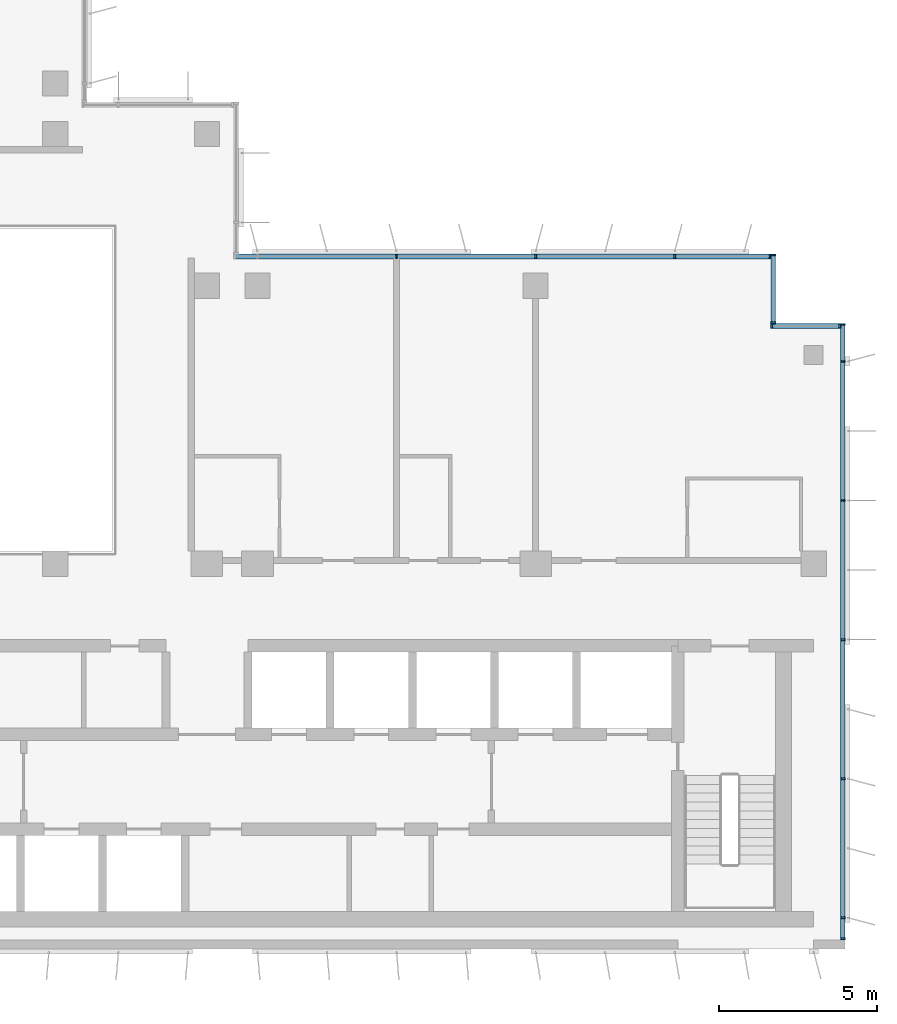
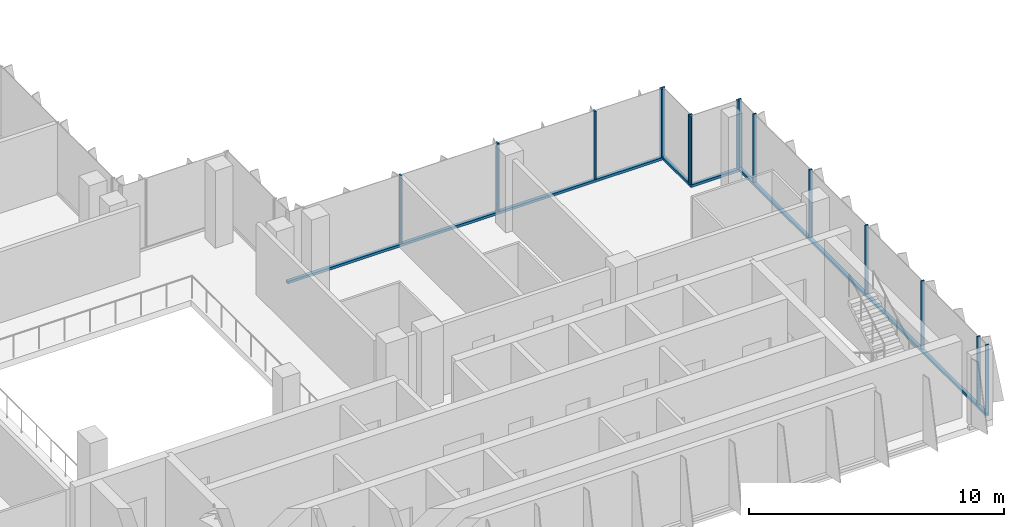
# One storey, part 3 of 15: 19 members, 4 elements without a shape of their own.
"""IFC4 building model written with IfcOpenShell, lengths in metres."""

from ifc_helpers import new_model, si_unit, direction, frame, origin, origin_2d, place, context, subcontext, project, spatial, rectangle, extrude, source, transform, mapped, material, material_profile, profile_set, type_object, element, aggregate, save


model = new_model("IFC4")

# Units and contexts
model_context = context("Model", 3, precision=1e-05, world=origin(), true_north=direction((0.0, 1.0)))
body_context = subcontext(model_context, "Body", "Model", "MODEL_VIEW")
ifc_project = project(units=[si_unit("LENGTHUNIT", "METRE"), si_unit("AREAUNIT", "SQUARE_METRE"), si_unit("VOLUMEUNIT", "CUBIC_METRE"), si_unit("PLANEANGLEUNIT", "RADIAN"), si_unit("MASSUNIT", "GRAM", prefix="KILO")], contexts=[model_context])

# Site, building, storey
site_placement = place(None, origin())
site = spatial("IfcSite", under=ifc_project, at=site_placement, CompositionType="ELEMENT")
building_placement = place(site_placement, origin())
building = spatial("IfcBuilding", under=site, at=building_placement, Name="Kemantara Hotel Tower", CompositionType="ELEMENT")
storey_placement = place(building_placement, frame((0.0, 0.0, 237.60009765625)))
storey = spatial("IfcBuildingStorey", under=building, at=storey_placement, Name="L59", CompositionType="ELEMENT", Elevation=237.60009765625)

# Curtain wall, member
ifc_material_1 = material(Name="Low-E tinted double insulated glass 36 mm", Category="glass")
curtain_wall_type = type_object("IfcCurtainWallType", Name="TOWER CURTAIN WALL, FRONT FACES", PredefinedType="USERDEFINED", material=ifc_material_1)
curtain_wall_1_placement = place(storey_placement, origin())
curtain_wall_1 = element("IfcCurtainWall", 1, at=curtain_wall_1_placement, inside=storey, type_object=curtain_wall_type, Name="CW4 L59 T4-R09-1", ObjectType="TOWER CURTAIN WALL, FRONT FACES", PredefinedType="USERDEFINED")
ifc_material_2 = material(Name="Aluminium 6063-T6 bronze anodised", Category="aluminium")
ifc_material_profile_1 = material_profile(ifc_material_2, rectangle(XDim=0.14990234375, YDim=0.1201171875, at=origin_2d()), Name="TOWER CURTAIN WALL, FRONT FACES TRANSOM")
ifc_profile_set_1 = profile_set([ifc_material_profile_1], Name="Aluminium 6063-T6 bronze anodised")
member_type_1 = type_object("IfcMemberType", Name="TOWER CURTAIN WALL, FRONT FACES TRANSOM", PredefinedType="USERDEFINED", material=ifc_profile_set_1)
member_1_placement = place(storey_placement, frame((45.925048828125, 0.300048828125, 0.059814453125), z_axis=(0.0, 1.0, 0.0), x_axis=(-1.0, 0.0, 0.0)))
member_1 = element("IfcMember", 2, at=member_1_placement, type_object=member_type_1, Name="CW4 sill transom T4-R09-1", ObjectType="TRANSOM", PredefinedType="USERDEFINED", context=body_context, shape_type="SweptSolid", body=[
    extrude(rectangle(XDim=0.14990234375, YDim=0.1201171875, at=origin_2d()), origin(), (0.0, 0.0, 1.0), 19.5),
])

curtain_wall_2_placement = place(storey_placement, origin())
curtain_wall_2 = element("IfcCurtainWall", 3, at=curtain_wall_2_placement, inside=storey, type_object=curtain_wall_type, Name="CW4 L59 T4-R12-1", ObjectType="TOWER CURTAIN WALL, FRONT FACES", PredefinedType="USERDEFINED")
member_2_placement = place(storey_placement, frame((43.64990234375, 21.925048828125, 0.059814453125), z_axis=(-1.0, 0.0, 0.0), x_axis=(0.0, -1.0, 0.0)))
member_2 = element("IfcMember", 4, at=member_2_placement, type_object=member_type_1, Name="CW4 sill transom T4-R12-1", ObjectType="TRANSOM", PredefinedType="USERDEFINED", context=body_context, shape_type="SweptSolid", body=[
    extrude(rectangle(XDim=0.14990234375, YDim=0.1201171875, at=origin_2d()), origin(), (0.0, 0.0, 1.0), 17.0),
])

curtain_wall_3_placement = place(storey_placement, origin())
curtain_wall_3 = element("IfcCurtainWall", 5, at=curtain_wall_3_placement, inside=storey, type_object=curtain_wall_type, Name="CW4 L59 T4-R10-1", ObjectType="TOWER CURTAIN WALL, FRONT FACES", PredefinedType="USERDEFINED")
member_3_placement = place(storey_placement, frame((45.85009765625, 19.72509765625, 0.059814453125), z_axis=(-1.0, 0.0, 0.0), x_axis=(0.0, -1.0, 0.0)))
member_3 = element("IfcMember", 6, at=member_3_placement, type_object=member_type_1, Name="CW4 sill transom T4-R10-1", ObjectType="TRANSOM", PredefinedType="USERDEFINED", context=body_context, shape_type="SweptSolid", body=[
    extrude(rectangle(XDim=0.14990234375, YDim=0.1201171875, at=origin_2d()), origin(), (0.0, 0.0, 1.0), 2.2001953125),
])

curtain_wall_4_placement = place(storey_placement, origin())
curtain_wall_4 = element("IfcCurtainWall", 7, at=curtain_wall_4_placement, inside=storey, type_object=curtain_wall_type, Name="CW4 L59 T4-R11-1", ObjectType="TOWER CURTAIN WALL, FRONT FACES", PredefinedType="USERDEFINED")
member_4_placement = place(storey_placement, frame((43.72509765625, 19.800048828125, 0.059814453125), z_axis=(0.0, 1.0, 0.0), x_axis=(-1.0, 0.0, 0.0)))
member_4 = element("IfcMember", 8, at=member_4_placement, type_object=member_type_1, Name="CW4 sill transom T4-R11-1", ObjectType="TRANSOM", PredefinedType="USERDEFINED", context=body_context, shape_type="SweptSolid", body=[
    extrude(rectangle(XDim=0.14990234375, YDim=0.1201171875, at=origin_2d()), origin(), (0.0, 0.0, 1.0), 2.199951171875),
])

# Member
ifc_material_profile_2 = material_profile(ifc_material_2, rectangle(XDim=0.14990234375, YDim=0.06005859375, at=origin_2d()), Name="TOWER CURTAIN WALL, FRONT FACES MULLION")
ifc_profile_set_2 = profile_set([ifc_material_profile_2], Name="Aluminium 6063-T6 bronze anodised")
member_type_2 = type_object("IfcMemberType", Name="TOWER CURTAIN WALL, FRONT FACES MULLION", PredefinedType="MULLION", material=ifc_profile_set_2)
shared_shape = source(origin(), body_context, "Body", "SweptSolid", [
    extrude(rectangle(XDim=0.14990234375, YDim=0.06005859375, at=origin_2d()), origin(), (0.0, 0.0, 1.0), 3.280029296875),
])
member_5_placement = place(storey_placement, frame((45.925048828125, 0.330078125, 0.119873046875), z_axis=(0.0, 0.0, 1.0), x_axis=(-1.0, 0.0, 0.0)))
member_5 = element("IfcMember", 9, at=member_5_placement, type_object=member_type_2, Name="CW4 mullion T4-R09-1.1", PredefinedType="MULLION", context=body_context, shape_type="MappedRepresentation", body=[
    mapped(shared_shape, transform((0.0, 0.0, 0.0))),
])

member_6_placement = place(storey_placement, frame((45.925048828125, 1.0, 0.119873046875), z_axis=(0.0, 0.0, 1.0), x_axis=(-1.0, 0.0, 0.0)))
member_6 = element("IfcMember", 10, at=member_6_placement, type_object=member_type_2, Name="CW4 mullion T4-R09-1.2", PredefinedType="MULLION", context=body_context, shape_type="MappedRepresentation", body=[
    mapped(shared_shape, transform((0.0, 0.0, 0.0))),
])

member_7_placement = place(storey_placement, frame((45.925048828125, 5.39990234375, 0.119873046875), z_axis=(0.0, 0.0, 1.0), x_axis=(-1.0, 0.0, 0.0)))
member_7 = element("IfcMember", 11, at=member_7_placement, type_object=member_type_2, Name="CW4 mullion T4-R09-1.3", PredefinedType="MULLION", context=body_context, shape_type="MappedRepresentation", body=[
    mapped(shared_shape, transform((0.0, 0.0, 0.0))),
])

member_8_placement = place(storey_placement, frame((45.925048828125, 9.800048828125, 0.119873046875), z_axis=(0.0, 0.0, 1.0), x_axis=(-1.0, 0.0, 0.0)))
member_8 = element("IfcMember", 12, at=member_8_placement, type_object=member_type_2, Name="CW4 mullion T4-R09-1.4", PredefinedType="MULLION", context=body_context, shape_type="MappedRepresentation", body=[
    mapped(shared_shape, transform((0.0, 0.0, 0.0))),
])

member_9_placement = place(storey_placement, frame((45.925048828125, 14.199951171875, 0.119873046875), z_axis=(0.0, 0.0, 1.0), x_axis=(-1.0, 0.0, 0.0)))
member_9 = element("IfcMember", 13, at=member_9_placement, type_object=member_type_2, Name="CW4 mullion T4-R09-1.5", PredefinedType="MULLION", context=body_context, shape_type="MappedRepresentation", body=[
    mapped(shared_shape, transform((0.0, 0.0, 0.0))),
])

member_10_placement = place(storey_placement, frame((45.925048828125, 18.60009765625, 0.119873046875), z_axis=(0.0, 0.0, 1.0), x_axis=(-1.0, 0.0, 0.0)))
member_10 = element("IfcMember", 14, at=member_10_placement, type_object=member_type_2, Name="CW4 mullion T4-R09-1.6", PredefinedType="MULLION", context=body_context, shape_type="MappedRepresentation", body=[
    mapped(shared_shape, transform((0.0, 0.0, 0.0))),
])

member_11_placement = place(storey_placement, frame((45.925048828125, 19.77001953125, 0.119873046875), z_axis=(0.0, 0.0, 1.0), x_axis=(-1.0, 0.0, 0.0)))
member_11 = element("IfcMember", 15, at=member_11_placement, type_object=member_type_2, Name="CW4 mullion T4-R09-1.7", PredefinedType="MULLION", context=body_context, shape_type="MappedRepresentation", body=[
    mapped(shared_shape, transform((0.0, 0.0, 0.0))),
])

aggregate(curtain_wall_1, [member_1, member_5, member_6, member_7, member_8, member_9, member_10, member_11])

member_12_placement = place(storey_placement, frame((43.6201171875, 21.925048828125, 0.119873046875), z_axis=(0.0, 0.0, 1.0), x_axis=(0.0, -1.0, 0.0)))
member_12 = element("IfcMember", 16, at=member_12_placement, type_object=member_type_2, Name="CW4 mullion T4-R12-1.1", PredefinedType="MULLION", context=body_context, shape_type="MappedRepresentation", body=[
    mapped(shared_shape, transform((0.0, 0.0, 0.0))),
])

member_13_placement = place(storey_placement, frame((40.60009765625, 21.925048828125, 0.119873046875), z_axis=(0.0, 0.0, 1.0), x_axis=(0.0, -1.0, 0.0)))
member_13 = element("IfcMember", 17, at=member_13_placement, type_object=member_type_2, Name="CW4 mullion T4-R12-1.2", PredefinedType="MULLION", context=body_context, shape_type="MappedRepresentation", body=[
    mapped(shared_shape, transform((0.0, 0.0, 0.0))),
])

member_14_placement = place(storey_placement, frame((36.199951171875, 21.925048828125, 0.119873046875), z_axis=(0.0, 0.0, 1.0), x_axis=(0.0, -1.0, 0.0)))
member_14 = element("IfcMember", 18, at=member_14_placement, type_object=member_type_2, Name="CW4 mullion T4-R12-1.3", PredefinedType="MULLION", context=body_context, shape_type="MappedRepresentation", body=[
    mapped(shared_shape, transform((0.0, 0.0, 0.0))),
])

member_15_placement = place(storey_placement, frame((31.800048828125, 21.925048828125, 0.119873046875), z_axis=(0.0, 0.0, 1.0), x_axis=(0.0, -1.0, 0.0)))
member_15 = element("IfcMember", 19, at=member_15_placement, type_object=member_type_2, Name="CW4 mullion T4-R12-1.4", PredefinedType="MULLION", context=body_context, shape_type="MappedRepresentation", body=[
    mapped(shared_shape, transform((0.0, 0.0, 0.0))),
])

aggregate(curtain_wall_2, [member_2, member_12, member_13, member_14, member_15])

member_16_placement = place(storey_placement, frame((45.820068359375, 19.72509765625, 0.119873046875), z_axis=(0.0, 0.0, 1.0), x_axis=(0.0, -1.0, 0.0)))
member_16 = element("IfcMember", 20, at=member_16_placement, type_object=member_type_2, Name="CW4 mullion T4-R10-1.1", PredefinedType="MULLION", context=body_context, shape_type="MappedRepresentation", body=[
    mapped(shared_shape, transform((0.0, 0.0, 0.0))),
])

member_17_placement = place(storey_placement, frame((43.679931640625, 19.72509765625, 0.119873046875), z_axis=(0.0, 0.0, 1.0), x_axis=(0.0, -1.0, 0.0)))
member_17 = element("IfcMember", 21, at=member_17_placement, type_object=member_type_2, Name="CW4 mullion T4-R10-1.2", PredefinedType="MULLION", context=body_context, shape_type="MappedRepresentation", body=[
    mapped(shared_shape, transform((0.0, 0.0, 0.0))),
])

aggregate(curtain_wall_3, [member_3, member_16, member_17])

member_18_placement = place(storey_placement, frame((43.72509765625, 19.830078125, 0.119873046875), z_axis=(0.0, 0.0, 1.0), x_axis=(-1.0, 0.0, 0.0)))
member_18 = element("IfcMember", 22, at=member_18_placement, type_object=member_type_2, Name="CW4 mullion T4-R11-1.1", PredefinedType="MULLION", context=body_context, shape_type="MappedRepresentation", body=[
    mapped(shared_shape, transform((0.0, 0.0, 0.0))),
])

member_19_placement = place(storey_placement, frame((43.72509765625, 21.969970703125, 0.119873046875), z_axis=(0.0, 0.0, 1.0), x_axis=(-1.0, 0.0, 0.0)))
member_19 = element("IfcMember", 23, at=member_19_placement, type_object=member_type_2, Name="CW4 mullion T4-R11-1.2", PredefinedType="MULLION", context=body_context, shape_type="MappedRepresentation", body=[
    mapped(shared_shape, transform((0.0, 0.0, 0.0))),
])

aggregate(curtain_wall_4, [member_4, member_18, member_19])

save(model, "model.ifc")
